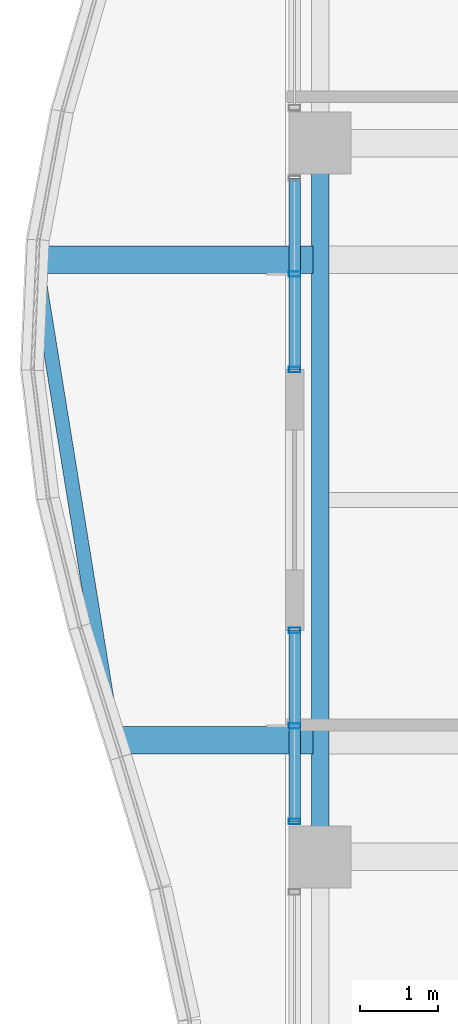
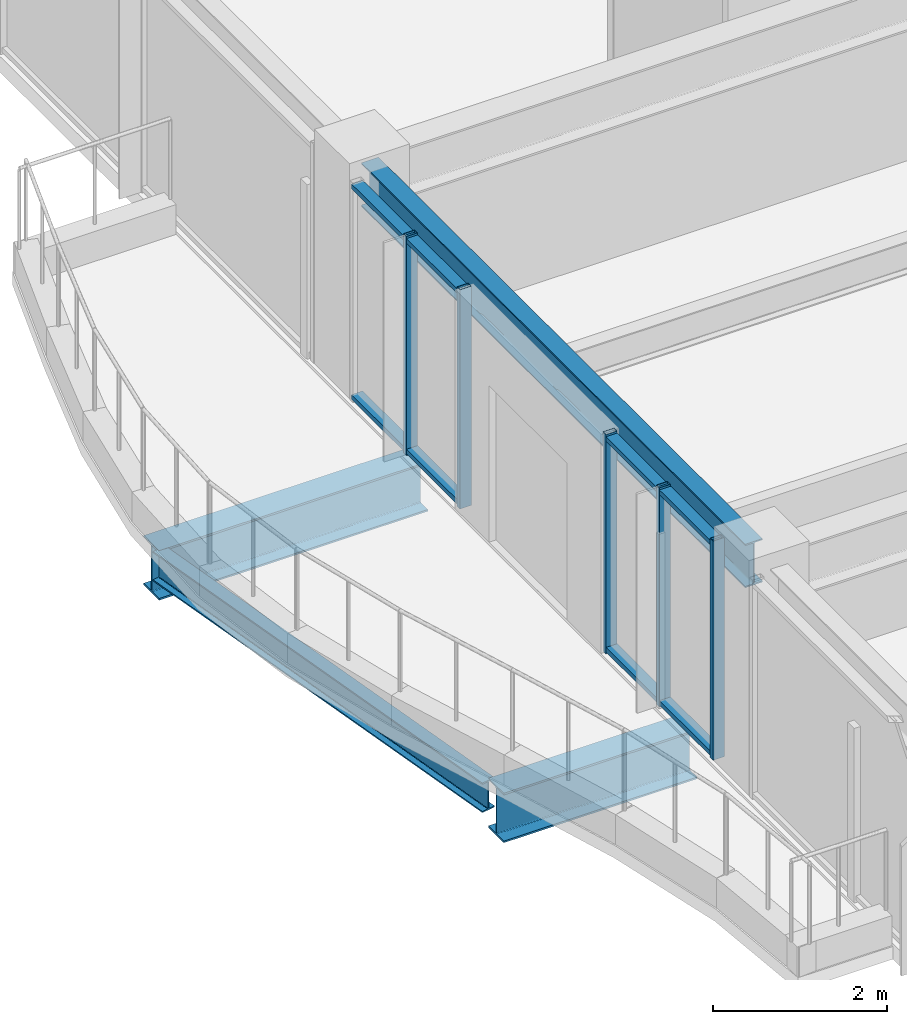
# One storey, part 6 of 34: 9 members, 4 beams, 2 elements without a shape of their own.
"""IFC4 building model written with IfcOpenShell, lengths in metres."""

from ifc_helpers import new_model, si_unit, direction, frame, origin, origin_2d, place, context, subcontext, project, spatial, hollow_rectangle, i_section, extrude, material, material_profile, profile_set, type_object, element, aggregate, save


model = new_model("IFC4")

# Units and contexts
model_context = context("Model", 3, precision=1e-05, world=origin(), true_north=direction((0.0, 1.0)))
body_context = subcontext(model_context, "Body", "Model", "MODEL_VIEW")
ifc_project = project(units=[si_unit("LENGTHUNIT", "METRE"), si_unit("AREAUNIT", "SQUARE_METRE"), si_unit("VOLUMEUNIT", "CUBIC_METRE"), si_unit("PLANEANGLEUNIT", "RADIAN"), si_unit("MASSUNIT", "GRAM", prefix="KILO")], contexts=[model_context])

# Site, building, storey
site_placement = place(None, origin())
site = spatial("IfcSite", under=ifc_project, at=site_placement, CompositionType="ELEMENT")
building_placement = place(site_placement, origin())
building = spatial("IfcBuilding", under=site, at=building_placement, Name="Kolvaren Belvedere", CompositionType="ELEMENT")
storey_placement = place(building_placement, frame((0.0, 0.0, 222.89990234375)))
storey = spatial("IfcBuildingStorey", under=building, at=storey_placement, Name="L65", CompositionType="ELEMENT", Elevation=222.89990234375)

# Beams
ifc_material_1 = material(Name="Structural steel ASTM A992 Grade 50", Category="steel")
ifc_material_profile_1 = material_profile(ifc_material_1, i_section(OverallWidth=0.35498046875, OverallDepth=0.696044921875, WebThickness=0.015380859375, FlangeThickness=0.02490234375, FilletRadius=0.02197265625, at=origin_2d()), Name="W27X146")
ifc_profile_set_1 = profile_set([ifc_material_profile_1], Name="Structural steel ASTM A992 Grade 50")
beam_type_1 = type_object("IfcBeamType", Name="BM-CANT-BAL", PredefinedType="BEAM", material=ifc_profile_set_1)
beam_1_placement = place(storey_placement, frame((-20.044921875, -3.10009765625, -0.56787109375), z_axis=(-1.0, 0.0, 0.0), x_axis=(0.0, -1.0, 0.0)))
element("IfcBeam", 1, at=beam_1_placement, inside=storey, type_object=beam_type_1, Name="L65 Planted Balcony Cantilever BAL-W-1", PredefinedType="BEAM", context=body_context, shape_type="SweptSolid", body=[
    extrude(i_section(OverallWidth=0.35498046875, OverallDepth=0.696044921875, WebThickness=0.015380859375, FlangeThickness=0.02490234375, FilletRadius=0.02197265625, at=origin_2d()), origin(), (0.0, 0.0, 1.0), 2.56884765625),
])
beam_2_placement = place(storey_placement, frame((-20.044921875, 3.10009765625, -0.56787109375), z_axis=(-1.0, 0.0, 0.0), x_axis=(0.0, -1.0, 0.0)))
element("IfcBeam", 2, at=beam_2_placement, inside=storey, type_object=beam_type_1, Name="L65 Planted Balcony Cantilever BAL-W-2", PredefinedType="BEAM", context=body_context, shape_type="SweptSolid", body=[
    extrude(i_section(OverallWidth=0.35498046875, OverallDepth=0.696044921875, WebThickness=0.015380859375, FlangeThickness=0.02490234375, FilletRadius=0.02197265625, at=origin_2d()), origin(), (0.0, 0.0, 1.0), 3.571044921875),
])
ifc_material_2 = material(Name="Structural steel ASTM A992 Grade 50", Category="steel")
ifc_material_profile_2 = material_profile(ifc_material_2, i_section(OverallWidth=0.180908203125, OverallDepth=0.4169921875, WebThickness=0.010986328125, FlangeThickness=0.018310546875, FilletRadius=0.013916015625, at=origin_2d()), Name="W16X57")
ifc_profile_set_2 = profile_set([ifc_material_profile_2], Name="Structural steel ASTM A992 Grade 50")
beam_type_2 = type_object("IfcBeamType", Name="BM-EDGE-W16X57", PredefinedType="BEAM", material=ifc_profile_set_2)
beam_3_placement = place(storey_placement, frame((-22.635986328125, -2.9619140625, -0.428466796875), z_axis=(-0.159567567211, 0.987187009383, 0.0), x_axis=(-0.987187009383, -0.159567567211, 0.0)))
element("IfcBeam", 3, at=beam_3_placement, inside=storey, type_object=beam_type_2, Name="L65 Balcony Tip Header Beam BAL-W", PredefinedType="BEAM", context=body_context, shape_type="SweptSolid", body=[
    extrude(i_section(OverallWidth=0.180908203125, OverallDepth=0.4169921875, WebThickness=0.010986328125, FlangeThickness=0.018310546875, FilletRadius=0.013916015625, at=origin_2d()), origin(), (0.0, 0.0, 1.0), 6.000732421875),
])
ifc_material_3 = material(Name="Structural steel ASTM A992 Grade 50", Category="steel")
ifc_material_profile_3 = material_profile(ifc_material_3, i_section(OverallWidth=0.22900390625, OverallDepth=0.612060546875, WebThickness=0.011962890625, FlangeThickness=0.01953125, FilletRadius=0.01806640625, at=origin_2d()), Name="W24X84")
ifc_profile_set_3 = profile_set([ifc_material_profile_3], Name="Structural steel ASTM A992 Grade 50")
beam_type_3 = type_object("IfcBeamType", Name="BM-SPAN-W24X84", PredefinedType="SPANDREL", material=ifc_profile_set_3)
beam_4_placement = place(storey_placement, frame((-19.949951171875, 4.419921875, 2.774169921875), z_axis=(0.0, -1.0, 0.0), x_axis=(1.0, 0.0, 0.0)))
element("IfcBeam", 4, at=beam_4_placement, inside=storey, type_object=beam_type_3, Name="L65 Perimeter Spandrel W3-W2", PredefinedType="SPANDREL", context=body_context, shape_type="SweptSolid", body=[
    extrude(i_section(OverallWidth=0.22900390625, OverallDepth=0.612060546875, WebThickness=0.011962890625, FlangeThickness=0.01953125, FilletRadius=0.01806640625, at=origin_2d()), origin(), (0.0, 0.0, 1.0), 8.83984375),
])

# Curtain wall, members
ifc_material_4 = material(Name="Anodised pale-metal aluminium AA 6063-T6", Category="aluminium")
curtain_wall_type = type_object("IfcCurtainWallType", Name="CW-Z5-HIGH", PredefinedType="NOTDEFINED", material=ifc_material_4)
curtain_wall_1_placement = place(storey_placement, origin())
curtain_wall_1 = element("IfcCurtainWall", 5, at=curtain_wall_1_placement, inside=storey, type_object=curtain_wall_type, Name="L65 Unitised Curtain Wall FCW-L65-W1-B2", PredefinedType="NOTDEFINED")
ifc_material_5 = material(Name="Anodised pale-metal aluminium AA 6063-T6", Category="aluminium")
ifc_material_profile_4 = material_profile(ifc_material_5, hollow_rectangle(XDim=0.070068359375, YDim=0.14990234375, WallThickness=0.004150390625, at=origin_2d()), Name="ALU-MUL-150X70")
ifc_profile_set_4 = profile_set([ifc_material_profile_4], Name="Anodised pale-metal aluminium AA 6063-T6")
member_type_1 = type_object("IfcMemberType", Name="CW-MUL-150", PredefinedType="MULLION", material=ifc_profile_set_4)
member_1_placement = place(storey_placement, frame((-20.280029296875, -4.14501953125, 0.0), z_axis=(0.0, 0.0, 1.0), x_axis=(0.0, 1.0, 0.0)))
member_1 = element("IfcMember", 6, at=member_1_placement, type_object=member_type_1, Name="FCW-L65-W1-B2 Unitised Mullion 1", PredefinedType="MULLION", context=body_context, shape_type="SweptSolid", body=[
    extrude(hollow_rectangle(XDim=0.070068359375, YDim=0.14990234375, WallThickness=0.004150390625, at=origin_2d()), origin(), (0.0, 0.0, 1.0), 3.080078125),
])
member_2_placement = place(storey_placement, frame((-20.280029296875, -2.91259765625, 0.0), z_axis=(0.0, 0.0, 1.0), x_axis=(0.0, 1.0, 0.0)))
member_2 = element("IfcMember", 7, at=member_2_placement, type_object=member_type_1, Name="FCW-L65-W1-B2 Unitised Mullion 2", PredefinedType="MULLION", context=body_context, shape_type="SweptSolid", body=[
    extrude(hollow_rectangle(XDim=0.070068359375, YDim=0.14990234375, WallThickness=0.004150390625, at=origin_2d()), origin(), (0.0, 0.0, 1.0), 3.080078125),
])
member_3_placement = place(storey_placement, frame((-20.280029296875, -1.679931640625, 0.0), z_axis=(0.0, 0.0, 1.0), x_axis=(0.0, 1.0, 0.0)))
member_3 = element("IfcMember", 8, at=member_3_placement, type_object=member_type_1, Name="FCW-L65-W1-B2 Unitised Mullion 3", PredefinedType="MULLION", context=body_context, shape_type="SweptSolid", body=[
    extrude(hollow_rectangle(XDim=0.070068359375, YDim=0.14990234375, WallThickness=0.004150390625, at=origin_2d()), origin(), (0.0, 0.0, 1.0), 3.080078125),
])

curtain_wall_2_placement = place(storey_placement, origin())
curtain_wall_2 = element("IfcCurtainWall", 9, at=curtain_wall_2_placement, inside=storey, type_object=curtain_wall_type, Name="L65 Unitised Curtain Wall FCW-L65-W2-B1", PredefinedType="NOTDEFINED")
member_4_placement = place(storey_placement, frame((-20.280029296875, 1.679931640625, 0.0), z_axis=(0.0, 0.0, 1.0), x_axis=(0.0, 1.0, 0.0)))
member_4 = element("IfcMember", 10, at=member_4_placement, type_object=member_type_1, Name="FCW-L65-W2-B1 Unitised Mullion 1", PredefinedType="MULLION", context=body_context, shape_type="SweptSolid", body=[
    extrude(hollow_rectangle(XDim=0.070068359375, YDim=0.14990234375, WallThickness=0.004150390625, at=origin_2d()), origin(), (0.0, 0.0, 1.0), 3.080078125),
])
member_5_placement = place(storey_placement, frame((-20.280029296875, 2.91259765625, 0.0), z_axis=(0.0, 0.0, 1.0), x_axis=(0.0, 1.0, 0.0)))
member_5 = element("IfcMember", 11, at=member_5_placement, type_object=member_type_1, Name="FCW-L65-W2-B1 Unitised Mullion 2", PredefinedType="MULLION", context=body_context, shape_type="SweptSolid", body=[
    extrude(hollow_rectangle(XDim=0.070068359375, YDim=0.14990234375, WallThickness=0.004150390625, at=origin_2d()), origin(), (0.0, 0.0, 1.0), 3.080078125),
])

# Member
ifc_material_6 = material(Name="Anodised pale-metal aluminium AA 6063-T6", Category="aluminium")
ifc_material_profile_5 = material_profile(ifc_material_6, hollow_rectangle(XDim=0.06494140625, YDim=0.14990234375, WallThickness=0.00390625, at=origin_2d()), Name="ALU-TRN-150X65")
ifc_profile_set_5 = profile_set([ifc_material_profile_5], Name="Anodised pale-metal aluminium AA 6063-T6")
member_type_2 = type_object("IfcMemberType", Name="CW-TRN-150", PredefinedType="USERDEFINED", material=ifc_profile_set_5)
member_6_placement = place(storey_placement, frame((-20.280029296875, -4.14501953125, 0.06005859375), z_axis=(0.0, 1.0, 0.0), x_axis=(0.0, 0.0, 1.0)))
member_6 = element("IfcMember", 12, at=member_6_placement, type_object=member_type_2, Name="FCW-L65-W1-B2 Sill Transom", ObjectType="TRANSOM", PredefinedType="USERDEFINED", context=body_context, shape_type="SweptSolid", body=[
    extrude(hollow_rectangle(XDim=0.06494140625, YDim=0.14990234375, WallThickness=0.00390625, at=origin_2d()), origin(), (0.0, 0.0, 1.0), 2.465087890625),
])

member_7_placement = place(storey_placement, frame((-20.280029296875, -4.14501953125, 3.02001953125), z_axis=(0.0, 1.0, 0.0), x_axis=(0.0, 0.0, 1.0)))
member_7 = element("IfcMember", 13, at=member_7_placement, type_object=member_type_2, Name="FCW-L65-W1-B2 Head Transom", ObjectType="TRANSOM", PredefinedType="USERDEFINED", context=body_context, shape_type="SweptSolid", body=[
    extrude(hollow_rectangle(XDim=0.06494140625, YDim=0.14990234375, WallThickness=0.00390625, at=origin_2d()), origin(), (0.0, 0.0, 1.0), 2.465087890625),
])

aggregate(curtain_wall_1, [member_1, member_2, member_3, member_6, member_7])

member_8_placement = place(storey_placement, frame((-20.280029296875, 1.679931640625, 0.06005859375), z_axis=(0.0, 1.0, 0.0), x_axis=(0.0, 0.0, 1.0)))
member_8 = element("IfcMember", 14, at=member_8_placement, type_object=member_type_2, Name="FCW-L65-W2-B1 Sill Transom", ObjectType="TRANSOM", PredefinedType="USERDEFINED", context=body_context, shape_type="SweptSolid", body=[
    extrude(hollow_rectangle(XDim=0.06494140625, YDim=0.14990234375, WallThickness=0.00390625, at=origin_2d()), origin(), (0.0, 0.0, 1.0), 2.465087890625),
])

member_9_placement = place(storey_placement, frame((-20.280029296875, 1.679931640625, 3.02001953125), z_axis=(0.0, 1.0, 0.0), x_axis=(0.0, 0.0, 1.0)))
member_9 = element("IfcMember", 15, at=member_9_placement, type_object=member_type_2, Name="FCW-L65-W2-B1 Head Transom", ObjectType="TRANSOM", PredefinedType="USERDEFINED", context=body_context, shape_type="SweptSolid", body=[
    extrude(hollow_rectangle(XDim=0.06494140625, YDim=0.14990234375, WallThickness=0.00390625, at=origin_2d()), origin(), (0.0, 0.0, 1.0), 2.465087890625),
])

aggregate(curtain_wall_2, [member_4, member_5, member_8, member_9])

save(model, "model.ifc")
